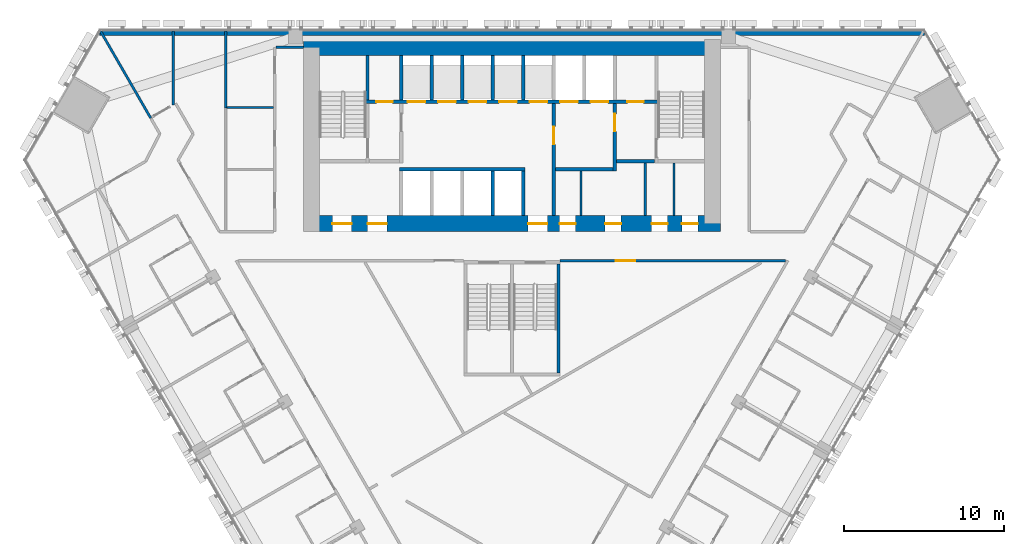
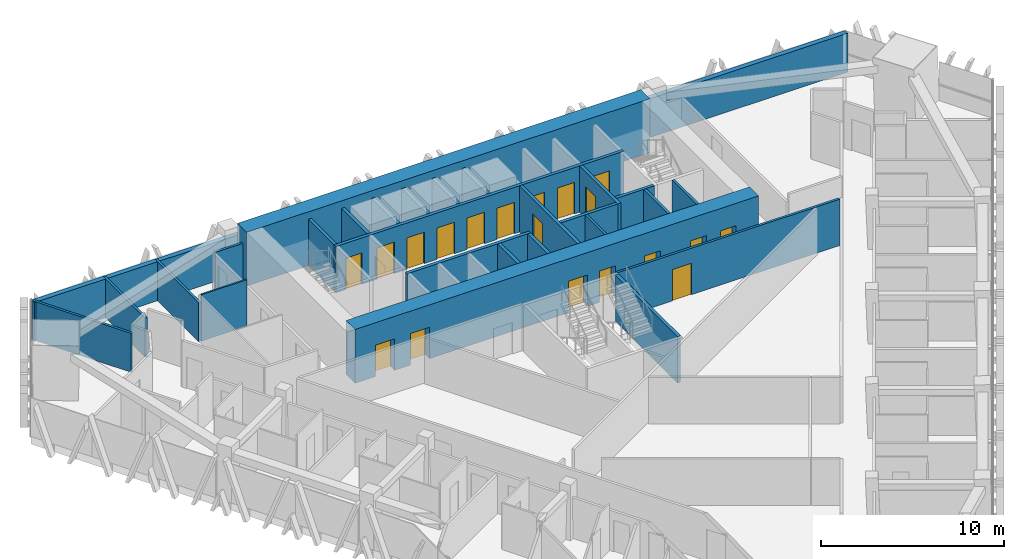
# One storey, part 12 of 17: 27 walls, 19 doors, 19 openings.
"""IFC4 building model written with IfcOpenShell, lengths in metres."""

from ifc_helpers import new_model, si_unit, direction, frame, frame_2d, origin, place, context, subcontext, project, spatial, rectangle, extrude, material, layer, layer_set, type_object, element, fill, save


model = new_model("IFC4")

# Units and contexts
model_context = context("Model", 3, precision=1e-05, world=origin(), true_north=direction((0.0, 1.0)))
body_context = subcontext(model_context, "Body", "Model", "MODEL_VIEW")
ifc_project = project(units=[si_unit("LENGTHUNIT", "METRE"), si_unit("AREAUNIT", "SQUARE_METRE"), si_unit("VOLUMEUNIT", "CUBIC_METRE"), si_unit("PLANEANGLEUNIT", "RADIAN"), si_unit("MASSUNIT", "GRAM", prefix="KILO")], contexts=[model_context])

# Site, building, storey
site_placement = place(None, origin())
site = spatial("IfcSite", under=ifc_project, at=site_placement, CompositionType="ELEMENT")
building_placement = place(site_placement, origin())
building = spatial("IfcBuilding", under=site, at=building_placement, Name="Altiplano Prism Tower", CompositionType="ELEMENT")
storey_placement = place(building_placement, frame((0.0, 0.0, 55.800048828125)))
storey = spatial("IfcBuildingStorey", under=building, at=storey_placement, Name="L13", CompositionType="ELEMENT", Elevation=55.800048828125)

# Wall, openings, doors
ifc_material_1 = material(Name="Concrete C70/85", Category="concrete")
ifc_layer_1 = layer(ifc_material_1, 1.0)
ifc_layer_set_1 = layer_set([ifc_layer_1], Name="Concrete C70/85")
wall_type_1 = type_object("IfcWallType", Name="Core wall 1000", PredefinedType="SHEAR", material=ifc_layer_set_1)
wall_1_placement = place(storey_placement, frame((72.5, 92.89990234375, 0.0), z_axis=(0.0, 0.0, 1.0), x_axis=(1.0, 0.0, 0.0)))
wall_1 = element("IfcWall", 1, at=wall_1_placement, inside=storey, type_object=wall_type_1, Name="Core wall S L13", PredefinedType="SHEAR", context=body_context, shape_type="SweptSolid", body=[
    extrude(rectangle(XDim=25.5, YDim=1.0, at=frame_2d((12.75, 0.0))), origin(), (0.0, 0.0, 1.0), 3.599853515625),
])
opening_1_placement = place(wall_1_placement, frame((1.300048828125, 0.0, 0.0)))
opening_1 = element("IfcOpeningElement", 2, at=opening_1_placement, cuts=wall_1, Name="Opening D2765", PredefinedType="OPENING", context=body_context, shape_type="SweptSolid", body=[
    extrude(rectangle(XDim=1.199951171875, YDim=2.10009765625, at=frame_2d((0.60009765625, 1.050048828125))), frame((0.0, 0.510498046875, 0.0), z_axis=(0.0, -1.0, 0.0), x_axis=(1.0, 0.0, 0.0)), (0.0, 0.0, 1.0), 1.02099609375),
])
opening_2_placement = place(wall_1_placement, frame((3.5, 0.0, 0.0)))
opening_2 = element("IfcOpeningElement", 3, at=opening_2_placement, cuts=wall_1, Name="Opening D2766", PredefinedType="OPENING", context=body_context, shape_type="SweptSolid", body=[
    extrude(rectangle(XDim=1.199951171875, YDim=2.10009765625, at=frame_2d((0.60009765625, 1.050048828125))), frame((0.0, 0.510498046875, 0.0), z_axis=(0.0, -1.0, 0.0), x_axis=(1.0, 0.0, 0.0)), (0.0, 0.0, 1.0), 1.02099609375),
])
opening_3_placement = place(wall_1_placement, frame((13.5, 0.0, 0.0)))
opening_3 = element("IfcOpeningElement", 4, at=opening_3_placement, cuts=wall_1, Name="Opening D2767", PredefinedType="OPENING", context=body_context, shape_type="SweptSolid", body=[
    extrude(rectangle(XDim=1.199951171875, YDim=2.10009765625, at=frame_2d((0.60009765625, 1.050048828125))), frame((0.0, 0.510498046875, 0.0), z_axis=(0.0, -1.0, 0.0), x_axis=(1.0, 0.0, 0.0)), (0.0, 0.0, 1.0), 1.02099609375),
])
opening_4_placement = place(wall_1_placement, frame((15.46240234375, 0.0, 0.0)))
opening_4 = element("IfcOpeningElement", 5, at=opening_4_placement, cuts=wall_1, Name="Opening D2770", PredefinedType="OPENING", context=body_context, shape_type="SweptSolid", body=[
    extrude(rectangle(XDim=1.0, YDim=2.10009765625, at=frame_2d((0.5, 1.050048828125))), frame((0.0, 0.510498046875, 0.0), z_axis=(0.0, -1.0, 0.0), x_axis=(1.0, 0.0, 0.0)), (0.0, 0.0, 1.0), 1.02099609375),
])
opening_5_placement = place(wall_1_placement, frame((18.300048828125, 0.0, 0.0)))
opening_5 = element("IfcOpeningElement", 6, at=opening_5_placement, cuts=wall_1, Name="Opening D2771", PredefinedType="OPENING", context=body_context, shape_type="SweptSolid", body=[
    extrude(rectangle(XDim=1.0, YDim=2.10009765625, at=frame_2d((0.5, 1.050048828125))), frame((0.0, 0.510498046875, 0.0), z_axis=(0.0, -1.0, 0.0), x_axis=(1.0, 0.0, 0.0)), (0.0, 0.0, 1.0), 1.02099609375),
])
opening_6_placement = place(wall_1_placement, frame((21.199951171875, 0.0, 0.0)))
opening_6 = element("IfcOpeningElement", 7, at=opening_6_placement, cuts=wall_1, Name="Opening D2772", PredefinedType="OPENING", context=body_context, shape_type="SweptSolid", body=[
    extrude(rectangle(XDim=1.0, YDim=2.10009765625, at=frame_2d((0.5, 1.050048828125))), frame((0.0, 0.510498046875, 0.0), z_axis=(0.0, -1.0, 0.0), x_axis=(1.0, 0.0, 0.0)), (0.0, 0.0, 1.0), 1.02099609375),
])
opening_7_placement = place(wall_1_placement, frame((23.08740234375, 0.0, 0.0)))
opening_7 = element("IfcOpeningElement", 8, at=opening_7_placement, cuts=wall_1, Name="Opening D2773", PredefinedType="OPENING", context=body_context, shape_type="SweptSolid", body=[
    extrude(rectangle(XDim=1.0, YDim=2.10009765625, at=frame_2d((0.5, 1.050048828125))), frame((0.0, 0.510498046875, 0.0), z_axis=(0.0, -1.0, 0.0), x_axis=(1.0, 0.0, 0.0)), (0.0, 0.0, 1.0), 1.02099609375),
])
ifc_material_2 = material(Name="Fire-rated steel door", Category="steel")
door_type_1 = type_object("IfcDoorType", Name="Core room door 1000 x 2100", OperationType="NOTDEFINED", PredefinedType="NOTDEFINED", material=ifc_material_2)
door_1_placement = place(opening_4_placement, origin())
door_1 = element("IfcDoor", 9, at=door_1_placement, inside=storey, type_object=door_type_1, Name="Core room door D2770", OperationType="SINGLE_SWING_RIGHT", OverallHeight=2.10009765625, OverallWidth=1.0, PredefinedType="NOTDEFINED", context=body_context, shape_type="SweptSolid", body=[
    extrude(rectangle(XDim=1.0, YDim=2.10009765625, at=frame_2d((0.5, 1.050048828125))), frame((0.0, 0.02490234375, 0.0), z_axis=(0.0, -1.0, 0.0), x_axis=(1.0, 0.0, 0.0)), (0.0, 0.0, 1.0), 0.050048828125),
])
fill(opening_4, door_1)
door_2_placement = place(opening_5_placement, origin())
door_2 = element("IfcDoor", 10, at=door_2_placement, inside=storey, type_object=door_type_1, Name="Core room door D2771", OperationType="SINGLE_SWING_LEFT", OverallHeight=2.10009765625, OverallWidth=1.0, PredefinedType="NOTDEFINED", context=body_context, shape_type="SweptSolid", body=[
    extrude(rectangle(XDim=1.0, YDim=2.10009765625, at=frame_2d((0.5, 1.050048828125))), frame((0.0, 0.02490234375, 0.0), z_axis=(0.0, -1.0, 0.0), x_axis=(1.0, 0.0, 0.0)), (0.0, 0.0, 1.0), 0.050048828125),
])
fill(opening_5, door_2)
door_3_placement = place(opening_6_placement, origin())
door_3 = element("IfcDoor", 11, at=door_3_placement, inside=storey, type_object=door_type_1, Name="Core room door D2772", OperationType="SINGLE_SWING_RIGHT", OverallHeight=2.10009765625, OverallWidth=1.0, PredefinedType="NOTDEFINED", context=body_context, shape_type="SweptSolid", body=[
    extrude(rectangle(XDim=1.0, YDim=2.10009765625, at=frame_2d((0.5, 1.050048828125))), frame((0.0, 0.02490234375, 0.0), z_axis=(0.0, -1.0, 0.0), x_axis=(1.0, 0.0, 0.0)), (0.0, 0.0, 1.0), 0.050048828125),
])
fill(opening_6, door_3)
door_4_placement = place(opening_7_placement, origin())
door_4 = element("IfcDoor", 12, at=door_4_placement, inside=storey, type_object=door_type_1, Name="Core room door D2773", OperationType="SINGLE_SWING_LEFT", OverallHeight=2.10009765625, OverallWidth=1.0, PredefinedType="NOTDEFINED", context=body_context, shape_type="SweptSolid", body=[
    extrude(rectangle(XDim=1.0, YDim=2.10009765625, at=frame_2d((0.5, 1.050048828125))), frame((0.0, 0.02490234375, 0.0), z_axis=(0.0, -1.0, 0.0), x_axis=(1.0, 0.0, 0.0)), (0.0, 0.0, 1.0), 0.050048828125),
])
fill(opening_7, door_4)
door_type_2 = type_object("IfcDoorType", Name="Lobby fire door 1200 x 2100", OperationType="NOTDEFINED", PredefinedType="NOTDEFINED", material=ifc_material_2)
door_5_placement = place(opening_1_placement, origin())
door_5 = element("IfcDoor", 13, at=door_5_placement, inside=storey, type_object=door_type_2, Name="Lobby fire door D2765", OperationType="SINGLE_SWING_RIGHT", OverallHeight=2.10009765625, OverallWidth=1.199951171875, PredefinedType="NOTDEFINED", context=body_context, shape_type="SweptSolid", body=[
    extrude(rectangle(XDim=1.199951171875, YDim=2.10009765625, at=frame_2d((0.60009765625, 1.050048828125))), frame((0.0, 0.02490234375, 0.0), z_axis=(0.0, -1.0, 0.0), x_axis=(1.0, 0.0, 0.0)), (0.0, 0.0, 1.0), 0.050048828125),
])
fill(opening_1, door_5)
door_6_placement = place(opening_2_placement, origin())
door_6 = element("IfcDoor", 14, at=door_6_placement, inside=storey, type_object=door_type_2, Name="Lobby fire door D2766", OperationType="SINGLE_SWING_LEFT", OverallHeight=2.10009765625, OverallWidth=1.199951171875, PredefinedType="NOTDEFINED", context=body_context, shape_type="SweptSolid", body=[
    extrude(rectangle(XDim=1.199951171875, YDim=2.10009765625, at=frame_2d((0.60009765625, 1.050048828125))), frame((0.0, 0.02490234375, 0.0), z_axis=(0.0, -1.0, 0.0), x_axis=(1.0, 0.0, 0.0)), (0.0, 0.0, 1.0), 0.050048828125),
])
fill(opening_2, door_6)
door_7_placement = place(opening_3_placement, origin())
door_7 = element("IfcDoor", 15, at=door_7_placement, inside=storey, type_object=door_type_2, Name="Lobby fire door D2767", OperationType="SINGLE_SWING_RIGHT", OverallHeight=2.10009765625, OverallWidth=1.199951171875, PredefinedType="NOTDEFINED", context=body_context, shape_type="SweptSolid", body=[
    extrude(rectangle(XDim=1.199951171875, YDim=2.10009765625, at=frame_2d((0.60009765625, 1.050048828125))), frame((0.0, 0.02490234375, 0.0), z_axis=(0.0, -1.0, 0.0), x_axis=(1.0, 0.0, 0.0)), (0.0, 0.0, 1.0), 0.050048828125),
])
fill(opening_3, door_7)

# Walls
wall_2_placement = place(storey_placement, frame((97.5, 103.89990234375, 0.0), z_axis=(0.0, 0.0, 1.0), x_axis=(-1.0, 0.0, 0.0)))
element("IfcWall", 16, at=wall_2_placement, inside=storey, type_object=wall_type_1, Name="Core wall N L13", PredefinedType="SHEAR", context=body_context, shape_type="SweptSolid", body=[
    extrude(rectangle(XDim=25.5, YDim=1.0, at=frame_2d((12.75, 0.0))), origin(), (0.0, 0.0, 1.0), 3.599853515625),
])
ifc_material_3 = material(Name="Plasterboard on steel stud", Category="steel")
ifc_layer_2 = layer(ifc_material_3, 0.10009765625)
ifc_layer_set_2 = layer_set([ifc_layer_2], Name="Plasterboard on steel stud")
wall_type_2 = type_object("IfcWallType", Name="Partition 100 wet", PredefinedType="PARTITIONING", material=ifc_layer_set_2)
wall_3_placement = place(storey_placement, frame((70.125, 100.142578125, 0.0), z_axis=(0.0, 0.0, 1.0), x_axis=(-1.0, 0.0, 0.0)))
element("IfcWall", 17, at=wall_3_placement, inside=storey, type_object=wall_type_2, Name="Partition P03 L13 047", PredefinedType="PARTITIONING", context=body_context, shape_type="SweptSolid", body=[
    extrude(rectangle(XDim=2.89892578125, YDim=0.10009765625, at=frame_2d((1.449462890625, 0.0))), origin(), (0.0, 0.0, 1.0), 3.099853515625),
])
ifc_layer_3 = layer(ifc_material_3, 0.14990234375)
ifc_layer_set_3 = layer_set([ifc_layer_3], Name="Plasterboard on steel stud")
wall_type_3 = type_object("IfcWallType", Name="Partition 150 corridor", PredefinedType="PARTITIONING", material=ifc_layer_set_3)
wall_4_placement = place(storey_placement, frame((72.0, 103.89990234375, 0.0), z_axis=(0.0, 0.0, 1.0), x_axis=(-1.0, 0.0, 0.0)))
element("IfcWall", 18, at=wall_4_placement, inside=storey, type_object=wall_type_3, Name="Partition P06 L13 004", PredefinedType="PARTITIONING", context=body_context, shape_type="SweptSolid", body=[
    extrude(rectangle(XDim=1.72509765625, YDim=0.14990234375, at=frame_2d((0.862548828125, 0.0))), origin(), (0.0, 0.0, 1.0), 2.599853515625),
])

# Wall, opening, door
wall_5_placement = place(storey_placement, frame((88.0, 90.59912109375, 0.0), z_axis=(0.0, 0.0, 1.0), x_axis=(0.99999999759, 6.942998e-05, 0.0)))
wall_5 = element("IfcWall", 19, at=wall_5_placement, inside=storey, type_object=wall_type_3, Name="Partition P06 L13 042", PredefinedType="PARTITIONING", context=body_context, shape_type="SweptSolid", body=[
    extrude(rectangle(XDim=14.0654296875, YDim=0.14990234375, at=frame_2d((7.03271484375, 0.0))), origin(), (0.0, 0.0, 1.0), 3.099853515625),
])
opening_8_placement = place(wall_5_placement, frame((3.47607421875, 0.0, 0.0)))
opening_8 = element("IfcOpeningElement", 20, at=opening_8_placement, cuts=wall_5, Name="Opening D0568", PredefinedType="OPENING", context=body_context, shape_type="SweptSolid", body=[
    extrude(rectangle(XDim=1.199951171875, YDim=2.10009765625, at=frame_2d((0.60009765625, 1.050048828125))), frame((0.0, 0.08544921875, 0.0), z_axis=(0.0, -1.0, 0.0), x_axis=(1.0, 0.0, 0.0)), (0.0, 0.0, 1.0), 0.1708984375),
])
ifc_material_4 = material(Name="Timber", Category="wood")
door_type_3 = type_object("IfcDoorType", Name="Shared room door 1200 x 2100", OperationType="NOTDEFINED", PredefinedType="NOTDEFINED", material=ifc_material_4)
door_8_placement = place(opening_8_placement, origin())
door_8 = element("IfcDoor", 21, at=door_8_placement, inside=storey, type_object=door_type_3, Name="Door D0568", OperationType="SINGLE_SWING_RIGHT", OverallHeight=2.10009765625, OverallWidth=1.199951171875, PredefinedType="NOTDEFINED", context=body_context, shape_type="SweptSolid", body=[
    extrude(rectangle(XDim=1.199951171875, YDim=2.10009765625, at=frame_2d((0.60009765625, 1.050048828125))), frame((0.0, 0.02490234375, 0.0), z_axis=(0.0, -1.0, 0.0), x_axis=(1.0, 0.0, 0.0)), (0.0, 0.0, 1.0), 0.050048828125),
])
fill(opening_8, door_8)

# Walls
ifc_layer_4 = layer(ifc_material_3, 0.14990234375)
ifc_layer_set_4 = layer_set([ifc_layer_4], Name="Plasterboard on steel stud")
wall_type_4 = type_object("IfcWallType", Name="Partition 150 party", PredefinedType="PARTITIONING", material=ifc_layer_set_4)
wall_6_placement = place(storey_placement, frame((59.3486328125, 104.89990234375, 0.0), z_axis=(0.0, 0.0, 1.0), x_axis=(0.500005118993, -0.866022448312, 0.0)))
element("IfcWall", 22, at=wall_6_placement, inside=storey, type_object=wall_type_4, Name="Partition P01 L13 049", PredefinedType="PARTITIONING", context=body_context, shape_type="SweptSolid", body=[
    extrude(rectangle(XDim=6.25537109375, YDim=0.14990234375, at=frame_2d((3.127685546875, 0.0))), origin(), (0.0, 0.0, 1.0), 2.599853515625),
])
wall_7_placement = place(storey_placement, frame((63.87548828125, 100.314697265625, 0.0), z_axis=(0.0, 0.0, 1.0), x_axis=(0.0, 1.0, 0.0)))
element("IfcWall", 23, at=wall_7_placement, inside=storey, type_object=wall_type_4, Name="Partition P01 L13 050", PredefinedType="PARTITIONING", context=body_context, shape_type="SweptSolid", body=[
    extrude(rectangle(XDim=4.585205078125, YDim=0.14990234375, at=frame_2d((2.29248046875, 0.0))), origin(), (0.0, 0.0, 1.0), 2.599853515625),
])
wall_8_placement = place(storey_placement, frame((67.151123046875, 104.89990234375, 0.0), z_axis=(0.0, 0.0, 1.0), x_axis=(0.0, -1.0, 0.0)))
element("IfcWall", 24, at=wall_8_placement, inside=storey, type_object=wall_type_4, Name="Partition P01 L13 051", PredefinedType="PARTITIONING", context=body_context, shape_type="SweptSolid", body=[
    extrude(rectangle(XDim=4.77734375, YDim=0.14990234375, at=frame_2d((2.388671875, 0.0))), origin(), (0.0, 0.0, 1.0), 2.599853515625),
])
ifc_material_5 = material(Name="Fire-rated gypsum board partition")
ifc_layer_5 = layer(ifc_material_5, 0.14990234375)
ifc_layer_set_5 = layer_set([ifc_layer_5], Name="Fire-rated gypsum board partition")
wall_type_5 = type_object("IfcWallType", Name="Room partition 150", PredefinedType="PARTITIONING", material=ifc_layer_set_5)
wall_9_placement = place(storey_placement, frame((89.300048828125, 93.39990234375, 0.0), z_axis=(0.0, 0.0, 1.0), x_axis=(0.0, 1.0, 0.0)))
element("IfcWall", 25, at=wall_9_placement, inside=storey, type_object=wall_type_5, Name="Room partition L13", PredefinedType="PARTITIONING", context=body_context, shape_type="SweptSolid", body=[
    extrude(rectangle(XDim=2.800048828125, YDim=0.14990234375, at=frame_2d((1.39990234375, 0.0))), origin(), (0.0, 0.0, 1.0), 3.099853515625),
])
for number, where, z_axis, x_axis, name in (
    (26, (93.300048828125, 93.39990234375, 0.0), (0.0, 0.0, 1.0), (0.0, 1.0, 0.0), "Room partition L13"),
    (27, (95.10009765625, 93.39990234375, 0.0), (0.0, 0.0, 1.0), (0.0, 1.0, 0.0), "Room partition L13"),
):
    element("IfcWall", number, at=place(storey_placement, frame(where, z_axis=z_axis, x_axis=x_axis)), inside=storey, type_object=wall_type_5, Name=name, PredefinedType="PARTITIONING", context=body_context, shape_type="SweptSolid", body=[
        extrude(rectangle(XDim=3.300048828125, YDim=0.14990234375, at=frame_2d((1.64990234375, 0.0))), origin(), (0.0, 0.0, 1.0), 3.099853515625),
    ])
ifc_material_6 = material(Name="Concrete C60/75", Category="concrete")
ifc_layer_6 = layer(ifc_material_6, 0.199951171875)
ifc_layer_set_6 = layer_set([ifc_layer_6], Name="Concrete C60/75")
wall_type_6 = type_object("IfcWallType", Name="Shaft wall 200", PredefinedType="SOLIDWALL", material=ifc_layer_set_6)
for number, where, z_axis, x_axis, name in (
    (28, (83.800048828125, 93.39990234375, 0.0), (0.0, 0.0, 1.0), (0.0, 1.0, 0.0), "Shaft wall L13"),
    (29, (85.699951171875, 93.39990234375, 0.0), (0.0, 0.0, 1.0), (0.0, 1.0, 0.0), "Shaft wall L13"),
):
    element("IfcWall", number, at=place(storey_placement, frame(where, z_axis=z_axis, x_axis=x_axis)), inside=storey, type_object=wall_type_6, Name=name, PredefinedType="SOLIDWALL", context=body_context, shape_type="SweptSolid", body=[
        extrude(rectangle(XDim=2.800048828125, YDim=0.199951171875, at=frame_2d((1.39990234375, 0.0))), origin(), (0.0, 0.0, 1.0), 3.099853515625),
    ])
wall_10_placement = place(storey_placement, frame((78.0, 96.300048828125, 0.0), z_axis=(0.0, 0.0, 1.0), x_axis=(1.0, 0.0, 0.0)))
element("IfcWall", 30, at=wall_10_placement, inside=storey, type_object=wall_type_6, Name="Shaft wall L13", PredefinedType="SOLIDWALL", context=body_context, shape_type="SweptSolid", body=[
    extrude(rectangle(XDim=7.800048828125, YDim=0.199951171875, at=frame_2d((3.89990234375, 0.0))), origin(), (0.0, 0.0, 1.0), 3.099853515625),
])
for number, where, z_axis, x_axis, name in (
    (31, (78.10009765625, 100.60009765625, 0.0), (0.0, 0.0, 1.0), (0.0, 1.0, 0.0), "Shaft wall L13"),
    (32, (80.0, 100.60009765625, 0.0), (0.0, 0.0, 1.0), (0.0, 1.0, 0.0), "Shaft wall L13"),
    (33, (81.89990234375, 100.60009765625, 0.0), (0.0, 0.0, 1.0), (0.0, 1.0, 0.0), "Shaft wall L13"),
    (34, (83.800048828125, 100.60009765625, 0.0), (0.0, 0.0, 1.0), (0.0, 1.0, 0.0), "Shaft wall L13"),
    (35, (85.699951171875, 100.60009765625, 0.0), (0.0, 0.0, 1.0), (0.0, 1.0, 0.0), "Shaft wall L13"),
):
    element("IfcWall", number, at=place(storey_placement, frame(where, z_axis=z_axis, x_axis=x_axis)), inside=storey, type_object=wall_type_6, Name=name, PredefinedType="SOLIDWALL", context=body_context, shape_type="SweptSolid", body=[
        extrude(rectangle(XDim=2.7998046875, YDim=0.199951171875, at=frame_2d((1.39990234375, 0.0))), origin(), (0.0, 0.0, 1.0), 3.099853515625),
    ])

# Wall, openings, doors
ifc_layer_7 = layer(ifc_material_6, 0.199951171875)
ifc_layer_set_7 = layer_set([ifc_layer_7], Name="Concrete C60/75")
wall_type_7 = type_object("IfcWallType", Name="Stair wall 200", PredefinedType="SOLIDWALL", material=ifc_layer_set_7)
wall_11_placement = place(storey_placement, frame((75.89990234375, 100.5, 0.0), z_axis=(0.0, 0.0, 1.0), x_axis=(1.0, 0.0, 0.0)))
wall_11 = element("IfcWall", 36, at=wall_11_placement, inside=storey, type_object=wall_type_7, Name="Stair wall L13", PredefinedType="SOLIDWALL", context=body_context, shape_type="SweptSolid", body=[
    extrude(rectangle(XDim=18.2001953125, YDim=0.199951171875, at=frame_2d((9.10009765625, 0.0))), origin(), (0.0, 0.0, 1.0), 3.099853515625),
])
opening_9_placement = place(wall_11_placement, frame((2.60009765625, 0.0, 0.0)))
opening_9 = element("IfcOpeningElement", 37, at=opening_9_placement, cuts=wall_11, Name="Opening LD-LL1-L13", PredefinedType="OPENING", context=body_context, shape_type="SweptSolid", body=[
    extrude(rectangle(XDim=1.10009765625, YDim=2.10009765625, at=frame_2d((0.550048828125, 1.050048828125))), frame((0.0, 0.1103515625, 0.0), z_axis=(0.0, -1.0, 0.0), x_axis=(1.0, 0.0, 0.0)), (0.0, 0.0, 1.0), 0.220947265625),
])
opening_10_placement = place(wall_11_placement, frame((4.5, 0.0, 0.0)))
opening_10 = element("IfcOpeningElement", 38, at=opening_10_placement, cuts=wall_11, Name="Opening LD-LL2-L13", PredefinedType="OPENING", context=body_context, shape_type="SweptSolid", body=[
    extrude(rectangle(XDim=1.10009765625, YDim=2.10009765625, at=frame_2d((0.550048828125, 1.050048828125))), frame((0.0, 0.1103515625, 0.0), z_axis=(0.0, -1.0, 0.0), x_axis=(1.0, 0.0, 0.0)), (0.0, 0.0, 1.0), 0.220947265625),
])
opening_11_placement = place(wall_11_placement, frame((6.39990234375, 0.0, 0.0)))
opening_11 = element("IfcOpeningElement", 39, at=opening_11_placement, cuts=wall_11, Name="Opening LD-LL3-L13", PredefinedType="OPENING", context=body_context, shape_type="SweptSolid", body=[
    extrude(rectangle(XDim=1.10009765625, YDim=2.10009765625, at=frame_2d((0.550048828125, 1.050048828125))), frame((0.0, 0.1103515625, 0.0), z_axis=(0.0, -1.0, 0.0), x_axis=(1.0, 0.0, 0.0)), (0.0, 0.0, 1.0), 0.220947265625),
])
opening_12_placement = place(wall_11_placement, frame((8.300048828125, 0.0, 0.0)))
opening_12 = element("IfcOpeningElement", 40, at=opening_12_placement, cuts=wall_11, Name="Opening LD-LL4-L13", PredefinedType="OPENING", context=body_context, shape_type="SweptSolid", body=[
    extrude(rectangle(XDim=1.10009765625, YDim=2.10009765625, at=frame_2d((0.550048828125, 1.050048828125))), frame((0.0, 0.1103515625, 0.0), z_axis=(0.0, -1.0, 0.0), x_axis=(1.0, 0.0, 0.0)), (0.0, 0.0, 1.0), 0.220947265625),
])
opening_13_placement = place(wall_11_placement, frame((10.199951171875, 0.0, 0.0)))
opening_13 = element("IfcOpeningElement", 41, at=opening_13_placement, cuts=wall_11, Name="Opening LD-LL5-L13", PredefinedType="OPENING", context=body_context, shape_type="SweptSolid", body=[
    extrude(rectangle(XDim=1.10009765625, YDim=2.10009765625, at=frame_2d((0.550048828125, 1.050048828125))), frame((0.0, 0.1103515625, 0.0), z_axis=(0.0, -1.0, 0.0), x_axis=(1.0, 0.0, 0.0)), (0.0, 0.0, 1.0), 0.220947265625),
])
opening_14_placement = place(wall_11_placement, frame((12.10009765625, 0.0, 0.0)))
opening_14 = element("IfcOpeningElement", 42, at=opening_14_placement, cuts=wall_11, Name="Opening LD-FF1-L13", PredefinedType="OPENING", context=body_context, shape_type="SweptSolid", body=[
    extrude(rectangle(XDim=1.10009765625, YDim=2.10009765625, at=frame_2d((0.550048828125, 1.050048828125))), frame((0.0, 0.1103515625, 0.0), z_axis=(0.0, -1.0, 0.0), x_axis=(1.0, 0.0, 0.0)), (0.0, 0.0, 1.0), 0.220947265625),
])
opening_15_placement = place(wall_11_placement, frame((14.0, 0.0, 0.0)))
opening_15 = element("IfcOpeningElement", 43, at=opening_15_placement, cuts=wall_11, Name="Opening LD-FF2-L13", PredefinedType="OPENING", context=body_context, shape_type="SweptSolid", body=[
    extrude(rectangle(XDim=1.10009765625, YDim=2.10009765625, at=frame_2d((0.550048828125, 1.050048828125))), frame((0.0, 0.1103515625, 0.0), z_axis=(0.0, -1.0, 0.0), x_axis=(1.0, 0.0, 0.0)), (0.0, 0.0, 1.0), 0.220947265625),
])
opening_16_placement = place(wall_11_placement, frame((0.64990234375, 0.0, 0.0)))
opening_16 = element("IfcOpeningElement", 44, at=opening_16_placement, cuts=wall_11, Name="Opening D2768", PredefinedType="OPENING", context=body_context, shape_type="SweptSolid", body=[
    extrude(rectangle(XDim=1.0, YDim=2.10009765625, at=frame_2d((0.5, 1.050048828125))), frame((0.0, 0.1103515625, 0.0), z_axis=(0.0, -1.0, 0.0), x_axis=(1.0, 0.0, 0.0)), (0.0, 0.0, 1.0), 0.220947265625),
])
opening_17_placement = place(wall_11_placement, frame((16.300048828125, 0.0, 0.0)))
opening_17 = element("IfcOpeningElement", 45, at=opening_17_placement, cuts=wall_11, Name="Opening D2769", PredefinedType="OPENING", context=body_context, shape_type="SweptSolid", body=[
    extrude(rectangle(XDim=1.0, YDim=2.10009765625, at=frame_2d((0.5, 1.050048828125))), frame((0.0, 0.1103515625, 0.0), z_axis=(0.0, -1.0, 0.0), x_axis=(1.0, 0.0, 0.0)), (0.0, 0.0, 1.0), 0.220947265625),
])
door_9_placement = place(opening_16_placement, origin())
door_9 = element("IfcDoor", 46, at=door_9_placement, inside=storey, type_object=door_type_1, Name="Core room door D2768", OperationType="SINGLE_SWING_LEFT", OverallHeight=2.10009765625, OverallWidth=1.0, PredefinedType="NOTDEFINED", context=body_context, shape_type="SweptSolid", body=[
    extrude(rectangle(XDim=1.0, YDim=2.10009765625, at=frame_2d((0.5, 1.050048828125))), frame((0.0, 0.02490234375, 0.0), z_axis=(0.0, -1.0, 0.0), x_axis=(1.0, 0.0, 0.0)), (0.0, 0.0, 1.0), 0.050048828125),
])
fill(opening_16, door_9)
door_10_placement = place(opening_17_placement, origin())
door_10 = element("IfcDoor", 47, at=door_10_placement, inside=storey, type_object=door_type_1, Name="Core room door D2769", OperationType="SINGLE_SWING_RIGHT", OverallHeight=2.10009765625, OverallWidth=1.0, PredefinedType="NOTDEFINED", context=body_context, shape_type="SweptSolid", body=[
    extrude(rectangle(XDim=1.0, YDim=2.10009765625, at=frame_2d((0.5, 1.050048828125))), frame((0.0, 0.02490234375, 0.0), z_axis=(0.0, -1.0, 0.0), x_axis=(1.0, 0.0, 0.0)), (0.0, 0.0, 1.0), 0.050048828125),
])
fill(opening_17, door_10)
ifc_material_7 = material(Name="Stainless steel landing door", Category="steel")
door_type_4 = type_object("IfcDoorType", Name="Landing door 1100 x 2100", OperationType="NOTDEFINED", PredefinedType="NOTDEFINED", material=ifc_material_7)
door_11_placement = place(opening_9_placement, origin())
door_11 = element("IfcDoor", 48, at=door_11_placement, inside=storey, type_object=door_type_4, Name="Landing doors LL1", OperationType="SLIDING_TO_RIGHT", OverallHeight=2.10009765625, OverallWidth=1.10009765625, PredefinedType="NOTDEFINED", context=body_context, shape_type="SweptSolid", body=[
    extrude(rectangle(XDim=1.10009765625, YDim=2.10009765625, at=frame_2d((0.550048828125, 1.050048828125))), frame((0.0, 0.02490234375, 0.0), z_axis=(0.0, -1.0, 0.0), x_axis=(1.0, 0.0, 0.0)), (0.0, 0.0, 1.0), 0.050048828125),
])
fill(opening_9, door_11)
door_12_placement = place(opening_10_placement, origin())
door_12 = element("IfcDoor", 49, at=door_12_placement, inside=storey, type_object=door_type_4, Name="Landing doors LL2", OperationType="SLIDING_TO_LEFT", OverallHeight=2.10009765625, OverallWidth=1.10009765625, PredefinedType="NOTDEFINED", context=body_context, shape_type="SweptSolid", body=[
    extrude(rectangle(XDim=1.10009765625, YDim=2.10009765625, at=frame_2d((0.550048828125, 1.050048828125))), frame((0.0, 0.02490234375, 0.0), z_axis=(0.0, -1.0, 0.0), x_axis=(1.0, 0.0, 0.0)), (0.0, 0.0, 1.0), 0.050048828125),
])
fill(opening_10, door_12)
door_13_placement = place(opening_11_placement, origin())
door_13 = element("IfcDoor", 50, at=door_13_placement, inside=storey, type_object=door_type_4, Name="Landing doors LL3", OperationType="SLIDING_TO_RIGHT", OverallHeight=2.10009765625, OverallWidth=1.10009765625, PredefinedType="NOTDEFINED", context=body_context, shape_type="SweptSolid", body=[
    extrude(rectangle(XDim=1.10009765625, YDim=2.10009765625, at=frame_2d((0.550048828125, 1.050048828125))), frame((0.0, 0.02490234375, 0.0), z_axis=(0.0, -1.0, 0.0), x_axis=(1.0, 0.0, 0.0)), (0.0, 0.0, 1.0), 0.050048828125),
])
fill(opening_11, door_13)
door_14_placement = place(opening_12_placement, origin())
door_14 = element("IfcDoor", 51, at=door_14_placement, inside=storey, type_object=door_type_4, Name="Landing doors LL4", OperationType="SLIDING_TO_LEFT", OverallHeight=2.10009765625, OverallWidth=1.10009765625, PredefinedType="NOTDEFINED", context=body_context, shape_type="SweptSolid", body=[
    extrude(rectangle(XDim=1.10009765625, YDim=2.10009765625, at=frame_2d((0.550048828125, 1.050048828125))), frame((0.0, 0.02490234375, 0.0), z_axis=(0.0, -1.0, 0.0), x_axis=(1.0, 0.0, 0.0)), (0.0, 0.0, 1.0), 0.050048828125),
])
fill(opening_12, door_14)
door_15_placement = place(opening_13_placement, origin())
door_15 = element("IfcDoor", 52, at=door_15_placement, inside=storey, type_object=door_type_4, Name="Landing doors LL5", OperationType="SLIDING_TO_RIGHT", OverallHeight=2.10009765625, OverallWidth=1.10009765625, PredefinedType="NOTDEFINED", context=body_context, shape_type="SweptSolid", body=[
    extrude(rectangle(XDim=1.10009765625, YDim=2.10009765625, at=frame_2d((0.550048828125, 1.050048828125))), frame((0.0, 0.02490234375, 0.0), z_axis=(0.0, -1.0, 0.0), x_axis=(1.0, 0.0, 0.0)), (0.0, 0.0, 1.0), 0.050048828125),
])
fill(opening_13, door_15)
door_16_placement = place(opening_14_placement, origin())
door_16 = element("IfcDoor", 53, at=door_16_placement, inside=storey, type_object=door_type_4, Name="Landing doors FF1", OperationType="SLIDING_TO_RIGHT", OverallHeight=2.10009765625, OverallWidth=1.10009765625, PredefinedType="NOTDEFINED", context=body_context, shape_type="SweptSolid", body=[
    extrude(rectangle(XDim=1.10009765625, YDim=2.10009765625, at=frame_2d((0.550048828125, 1.050048828125))), frame((0.0, 0.02490234375, 0.0), z_axis=(0.0, -1.0, 0.0), x_axis=(1.0, 0.0, 0.0)), (0.0, 0.0, 1.0), 0.050048828125),
])
fill(opening_14, door_16)
door_17_placement = place(opening_15_placement, origin())
door_17 = element("IfcDoor", 54, at=door_17_placement, inside=storey, type_object=door_type_4, Name="Landing doors FF2", OperationType="SLIDING_TO_LEFT", OverallHeight=2.10009765625, OverallWidth=1.10009765625, PredefinedType="NOTDEFINED", context=body_context, shape_type="SweptSolid", body=[
    extrude(rectangle(XDim=1.10009765625, YDim=2.10009765625, at=frame_2d((0.550048828125, 1.050048828125))), frame((0.0, 0.02490234375, 0.0), z_axis=(0.0, -1.0, 0.0), x_axis=(1.0, 0.0, 0.0)), (0.0, 0.0, 1.0), 0.050048828125),
])
fill(opening_15, door_17)

# Walls
wall_12_placement = place(storey_placement, frame((76.0, 100.60009765625, 0.0), z_axis=(0.0, 0.0, 1.0), x_axis=(0.0, 1.0, 0.0)))
element("IfcWall", 55, at=wall_12_placement, inside=storey, type_object=wall_type_7, Name="Stair wall L13", PredefinedType="SOLIDWALL", context=body_context, shape_type="SweptSolid", body=[
    extrude(rectangle(XDim=2.7998046875, YDim=0.199951171875, at=frame_2d((1.39990234375, 0.0))), origin(), (0.0, 0.0, 1.0), 3.099853515625),
])
wall_13_placement = place(storey_placement, frame((87.89990234375, 83.60009765625, 0.0), z_axis=(0.0, 0.0, 1.0), x_axis=(0.0, 1.0, 0.0)))
element("IfcWall", 56, at=wall_13_placement, inside=storey, type_object=wall_type_7, Name="Stair 3 wall east L13", PredefinedType="SOLIDWALL", context=body_context, shape_type="SweptSolid", body=[
    extrude(rectangle(XDim=6.7998046875, YDim=0.199951171875, at=frame_2d((3.39990234375, 0.0))), origin(), (0.0, 0.0, 1.0), 3.099853515625),
])
ifc_material_8 = material(Name="Concrete C40", Category="concrete")
ifc_layer_8 = layer(ifc_material_8, 0.300048828125)
ifc_layer_set_8 = layer_set([ifc_layer_8], Name="Concrete C40")
wall_type_8 = type_object("IfcWallType", Name="Stone-clad external wall 300", PredefinedType="SOLIDWALL", material=ifc_layer_set_8)
wall_14_placement = place(storey_placement, frame((59.291015625, 104.7900390625, 0.0), z_axis=(0.0, 0.0, 1.0), x_axis=(1.0, 0.0, 0.0)))
element("IfcWall", 57, at=wall_14_placement, inside=storey, type_object=wall_type_8, Name="External wall north face L13", PredefinedType="SOLIDWALL", context=body_context, shape_type="SweptSolid", body=[
    extrude(rectangle(XDim=51.41796875, YDim=0.300048828125, at=frame_2d((25.708984375, 0.0))), origin(), (0.0, 0.0, 1.0), 2.599853515625),
])

# Wall, opening, door
ifc_layer_9 = layer(ifc_material_6, 0.199951171875)
ifc_layer_set_9 = layer_set([ifc_layer_9], Name="Concrete C60/75")
wall_type_9 = type_object("IfcWallType", Name="Vestibule wall 200", PredefinedType="PARTITIONING", material=ifc_layer_set_9)
wall_15_placement = place(storey_placement, frame((87.60009765625, 93.39990234375, 0.0), z_axis=(0.0, 0.0, 1.0), x_axis=(0.0, 1.0, 0.0)))
wall_15 = element("IfcWall", 58, at=wall_15_placement, inside=storey, type_object=wall_type_9, Name="Vestibule wall L13", PredefinedType="PARTITIONING", context=body_context, shape_type="SweptSolid", body=[
    extrude(rectangle(XDim=7.0, YDim=0.199951171875, at=frame_2d((3.5, 0.0))), origin(), (0.0, 0.0, 1.0), 3.099853515625),
])
opening_18_placement = place(wall_15_placement, frame((4.449951171875, 0.0, 0.0)))
opening_18 = element("IfcOpeningElement", 59, at=opening_18_placement, cuts=wall_15, Name="Opening D2763", PredefinedType="OPENING", context=body_context, shape_type="SweptSolid", body=[
    extrude(rectangle(XDim=1.10009765625, YDim=2.10009765625, at=frame_2d((0.550048828125, 1.050048828125))), frame((0.0, 0.1103515625, 0.0), z_axis=(0.0, -1.0, 0.0), x_axis=(1.0, 0.0, 0.0)), (0.0, 0.0, 1.0), 0.220947265625),
])
door_type_5 = type_object("IfcDoorType", Name="Vestibule fire door 1100 x 2100", OperationType="NOTDEFINED", PredefinedType="NOTDEFINED", material=ifc_material_2)
door_18_placement = place(opening_18_placement, origin())
door_18 = element("IfcDoor", 60, at=door_18_placement, inside=storey, type_object=door_type_5, Name="Vestibule fire door D2763", OperationType="SINGLE_SWING_RIGHT", OverallHeight=2.10009765625, OverallWidth=1.10009765625, PredefinedType="NOTDEFINED", context=body_context, shape_type="SweptSolid", body=[
    extrude(rectangle(XDim=1.10009765625, YDim=2.10009765625, at=frame_2d((0.550048828125, 1.050048828125))), frame((0.0, 0.02490234375, 0.0), z_axis=(0.0, -1.0, 0.0), x_axis=(1.0, 0.0, 0.0)), (0.0, 0.0, 1.0), 0.050048828125),
])
fill(opening_18, door_18)

# Wall
wall_16_placement = place(storey_placement, frame((87.699951171875, 96.300048828125, 0.0), z_axis=(0.0, 0.0, 1.0), x_axis=(1.0, 0.0, 0.0)))
element("IfcWall", 61, at=wall_16_placement, inside=storey, type_object=wall_type_9, Name="Vestibule wall L13", PredefinedType="PARTITIONING", context=body_context, shape_type="SweptSolid", body=[
    extrude(rectangle(XDim=3.60009765625, YDim=0.199951171875, at=frame_2d((1.800048828125, 0.0))), origin(), (0.0, 0.0, 1.0), 3.099853515625),
])

# Wall, opening, door
wall_17_placement = place(storey_placement, frame((91.39990234375, 96.199951171875, 0.0), z_axis=(0.0, 0.0, 1.0), x_axis=(0.0, 1.0, 0.0)))
wall_17 = element("IfcWall", 62, at=wall_17_placement, inside=storey, type_object=wall_type_9, Name="Vestibule wall L13", PredefinedType="PARTITIONING", context=body_context, shape_type="SweptSolid", body=[
    extrude(rectangle(XDim=4.199951171875, YDim=0.199951171875, at=frame_2d((2.10009765625, 0.0))), origin(), (0.0, 0.0, 1.0), 3.099853515625),
])
opening_19_placement = place(wall_17_placement, frame((2.449951171875, 0.0, 0.0)))
opening_19 = element("IfcOpeningElement", 63, at=opening_19_placement, cuts=wall_17, Name="Opening D2764", PredefinedType="OPENING", context=body_context, shape_type="SweptSolid", body=[
    extrude(rectangle(XDim=1.10009765625, YDim=2.10009765625, at=frame_2d((0.550048828125, 1.050048828125))), frame((0.0, 0.1103515625, 0.0), z_axis=(0.0, -1.0, 0.0), x_axis=(1.0, 0.0, 0.0)), (0.0, 0.0, 1.0), 0.220947265625),
])
door_19_placement = place(opening_19_placement, origin())
door_19 = element("IfcDoor", 64, at=door_19_placement, inside=storey, type_object=door_type_5, Name="Vestibule fire door D2764", OperationType="SINGLE_SWING_LEFT", OverallHeight=2.10009765625, OverallWidth=1.10009765625, PredefinedType="NOTDEFINED", context=body_context, shape_type="SweptSolid", body=[
    extrude(rectangle(XDim=1.10009765625, YDim=2.10009765625, at=frame_2d((0.550048828125, 1.050048828125))), frame((0.0, 0.02490234375, 0.0), z_axis=(0.0, -1.0, 0.0), x_axis=(1.0, 0.0, 0.0)), (0.0, 0.0, 1.0), 0.050048828125),
])
fill(opening_19, door_19)

# Wall
wall_18_placement = place(storey_placement, frame((91.5, 96.800048828125, 0.0), z_axis=(0.0, 0.0, 1.0), x_axis=(1.0, 0.0, 0.0)))
element("IfcWall", 65, at=wall_18_placement, inside=storey, type_object=wall_type_9, Name="Vestibule wall L13", PredefinedType="PARTITIONING", context=body_context, shape_type="SweptSolid", body=[
    extrude(rectangle(XDim=2.39990234375, YDim=0.199951171875, at=frame_2d((1.199951171875, 0.0))), origin(), (0.0, 0.0, 1.0), 3.099853515625),
])

save(model, "model.ifc")
